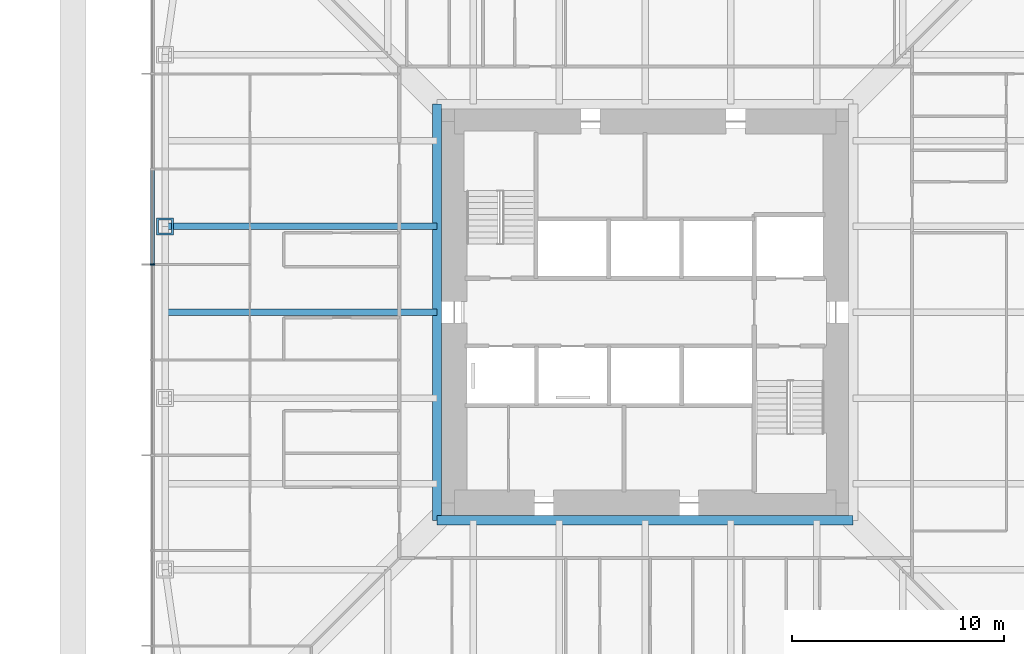
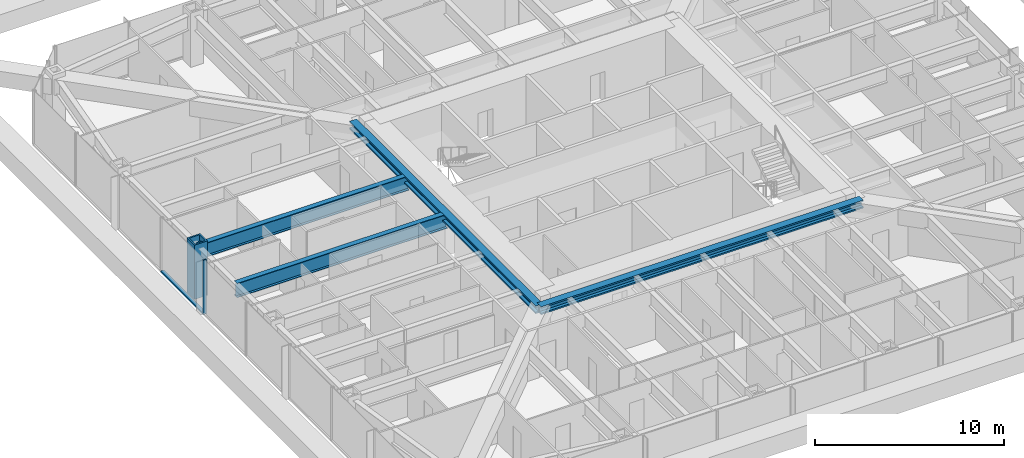
# One storey, part 6 of 32: 4 beams, 3 members, 1 element without a shape of its own.
"""IFC4 building model written with IfcOpenShell, lengths in metres."""

from ifc_helpers import new_model, si_unit, direction, frame, origin, origin_2d, place, context, subcontext, project, spatial, rectangle, hollow_rectangle, i_section, extrude, material, material_profile, profile_set, type_object, element, aggregate, save


model = new_model("IFC4")

# Units and contexts
model_context = context("Model", 3, precision=1e-05, world=origin(), true_north=direction((0.0, 1.0)))
body_context = subcontext(model_context, "Body", "Model", "MODEL_VIEW")
ifc_project = project(units=[si_unit("LENGTHUNIT", "METRE"), si_unit("AREAUNIT", "SQUARE_METRE"), si_unit("VOLUMEUNIT", "CUBIC_METRE"), si_unit("PLANEANGLEUNIT", "RADIAN"), si_unit("MASSUNIT", "GRAM", prefix="KILO")], contexts=[model_context])

# Site, building, storey
site_placement = place(None, origin())
site = spatial("IfcSite", under=ifc_project, at=site_placement, CompositionType="ELEMENT")
building_placement = place(site_placement, origin())
building = spatial("IfcBuilding", under=site, at=building_placement, Name="Iwan Alto Co-Living Towers", CompositionType="ELEMENT")
storey_placement = place(building_placement, frame((0.0, 0.0, 71.0)))
storey = spatial("IfcBuildingStorey", under=building, at=storey_placement, Name="L19", CompositionType="ELEMENT", Elevation=71.0)

# Curtain wall, members
ifc_material_1 = material(Name="Bronze aluminium unitised frame", Category="aluminium")
curtain_wall_type = type_object("IfcCurtainWallType", Name="CURTAIN WALL CW-A", PredefinedType="NOTDEFINED", material=ifc_material_1)
curtain_wall_placement = place(storey_placement, origin())
curtain_wall = element("IfcCurtainWall", 1, at=curtain_wall_placement, inside=storey, type_object=curtain_wall_type, Name="T1 curtain wall W L19", PredefinedType="NOTDEFINED")
ifc_material_2 = material(Name="Aluminium 6063-T6 bronze anodised", Category="aluminium")
ifc_material_profile_1 = material_profile(ifc_material_2, rectangle(XDim=0.199951171875, YDim=0.080078125, at=origin_2d()), Name="AL 80X200")
ifc_profile_set_1 = profile_set([ifc_material_profile_1], Name="Aluminium 6063-T6 bronze anodised")
member_type_1 = type_object("IfcMemberType", Name="CW-A MULLION 80X200", PredefinedType="MULLION", material=ifc_profile_set_1)
member_1_placement = place(storey_placement, frame((-23.25, 2.25, 0.0), z_axis=(0.0, 0.0, 1.0), x_axis=(1.0, 0.0, 0.0)))
member_1 = element("IfcMember", 2, at=member_1_placement, type_object=member_type_1, Name="CW-A mullion 5", PredefinedType="MULLION", context=body_context, shape_type="SweptSolid", body=[
    extrude(rectangle(XDim=0.199951171875, YDim=0.080078125, at=origin_2d()), origin(), (0.0, 0.0, 1.0), 3.5),
])
ifc_material_3 = material(Name="Aluminium 6063-T6 bronze anodised", Category="aluminium")
ifc_material_profile_2 = material_profile(ifc_material_3, rectangle(XDim=0.199951171875, YDim=0.10009765625, at=origin_2d()), Name="AL 200X100")
ifc_profile_set_2 = profile_set([ifc_material_profile_2], Name="Aluminium 6063-T6 bronze anodised")
member_type_2 = type_object("IfcMemberType", Name="CW-A TRANSOM 200X100", PredefinedType="USERDEFINED", material=ifc_profile_set_2)
member_2_placement = place(storey_placement, frame((-23.25, 6.7099609375, 0.050048828125), z_axis=(0.0, -1.0, 0.0), x_axis=(1.0, 0.0, 0.0)))
member_2 = element("IfcMember", 3, at=member_2_placement, type_object=member_type_2, Name="CW-A transom 4.1", ObjectType="TRANSOM", PredefinedType="USERDEFINED", context=body_context, shape_type="SweptSolid", body=[
    extrude(rectangle(XDim=0.199951171875, YDim=0.10009765625, at=origin_2d()), origin(), (0.0, 0.0, 1.0), 4.419921875),
])
aggregate(curtain_wall, [member_1, member_2])

# Beams
ifc_material_4 = material(Name="Steel ASTM A992 Gr 50", Category="steel")
ifc_material_profile_3 = material_profile(ifc_material_4, i_section(OverallWidth=0.436767578125, OverallDepth=0.51318359375, WebThickness=0.060546875, FlangeThickness=0.096923828125, at=origin_2d()), Name="W14X550")
ifc_profile_set_3 = profile_set([ifc_material_profile_3], Name="Steel ASTM A992 Gr 50")
beam_type_1 = type_object("IfcBeamType", Name="T1 CORE LEDGER BEAM W14X550", PredefinedType="BEAM", material=ifc_profile_set_3)
for number, where, z_axis, x_axis, name in (
    (4, (-9.818359375, -9.818359375, 2.943359375), (1.0, 0.0, 0.0), (0.0, 1.0, 0.0), "T1 core ledger beam S L20"),
    (5, (-9.818359375, 9.818359375, 2.943359375), (0.0, -1.0, 0.0), (1.0, 0.0, 0.0), "T1 core ledger beam W L20"),
):
    element("IfcBeam", number, at=place(storey_placement, frame(where, z_axis=z_axis, x_axis=x_axis)), inside=storey, type_object=beam_type_1, Name=name, PredefinedType="BEAM", context=body_context, shape_type="SweptSolid", body=[
        extrude(i_section(OverallWidth=0.436767578125, OverallDepth=0.51318359375, WebThickness=0.060546875, FlangeThickness=0.096923828125, at=origin_2d()), origin(), (0.0, 0.0, 1.0), 19.63671875),
    ])
ifc_material_5 = material(Name="Steel ASTM A992 Gr 50", Category="steel")
ifc_material_profile_4 = material_profile(ifc_material_5, i_section(OverallWidth=0.307373046875, OverallDepth=0.927001953125, WebThickness=0.01953125, FlangeThickness=0.031982421875, at=origin_2d()), Name="W36X194")
ifc_profile_set_4 = profile_set([ifc_material_profile_4], Name="Steel ASTM A992 Gr 50")
beam_type_2 = type_object("IfcBeamType", Name="T1 RADIAL BEAM W36X194", PredefinedType="BEAM", material=ifc_profile_set_4)
beam_1_placement = place(storey_placement, frame((-22.64990234375, 4.050048828125, 2.736328125), z_axis=(1.0, 0.0, 0.0), x_axis=(0.0, 1.0, 0.0)))
element("IfcBeam", 6, at=beam_1_placement, inside=storey, type_object=beam_type_2, Name="T1 radial beam W2 L20", PredefinedType="BEAM", context=body_context, shape_type="SweptSolid", body=[
    extrude(i_section(OverallWidth=0.307373046875, OverallDepth=0.927001953125, WebThickness=0.01953125, FlangeThickness=0.031982421875, at=origin_2d()), origin(), (0.0, 0.0, 1.0), 12.83154296875),
])

# Member
ifc_material_6 = material(Name="Steel ASTM A572 Gr 50", Category="steel")
ifc_material_profile_5 = material_profile(ifc_material_6, hollow_rectangle(XDim=0.800048828125, YDim=0.800048828125, WallThickness=0.090087890625, at=origin_2d()), Name="BOX 800X800X90")
ifc_profile_set_5 = profile_set([ifc_material_profile_5], Name="Steel ASTM A572 Gr 50")
member_type_3 = type_object("IfcMemberType", Name="T1 RING POST AT STEP BOX 800X800X90", PredefinedType="MEMBER", material=ifc_profile_set_5)
member_3_placement = place(storey_placement, frame((-22.64990234375, 4.050048828125, 0.0), z_axis=(0.0, 0.0, 1.0), x_axis=(1.0, 0.0, 0.0)))
element("IfcMember", 7, at=member_3_placement, inside=storey, type_object=member_type_3, Name="T1 ring post at step W2 L19", PredefinedType="MEMBER", context=body_context, shape_type="SweptSolid", body=[
    extrude(hollow_rectangle(XDim=0.800048828125, YDim=0.800048828125, WallThickness=0.090087890625, at=origin_2d()), origin(), (0.0, 0.0, 1.0), 3.5),
])

# Beam
ifc_material_7 = material(Name="Steel ASTM A992 Gr 50", Category="steel")
ifc_material_profile_6 = material_profile(ifc_material_7, i_section(OverallWidth=0.307373046875, OverallDepth=0.927001953125, WebThickness=0.01953125, FlangeThickness=0.031982421875, at=origin_2d()), Name="W36X194")
ifc_profile_set_6 = profile_set([ifc_material_profile_6], Name="Steel ASTM A992 Gr 50")
beam_type_3 = type_object("IfcBeamType", Name="T1 SECONDARY BEAM W36X194", PredefinedType="JOIST", material=ifc_profile_set_6)
beam_2_placement = place(storey_placement, frame((-22.64990234375, 0.0, 2.736328125), z_axis=(1.0, 0.0, 0.0), x_axis=(0.0, 1.0, 0.0)))
element("IfcBeam", 8, at=beam_2_placement, inside=storey, type_object=beam_type_3, Name="T1 secondary beam W2 L20", PredefinedType="JOIST", context=body_context, shape_type="SweptSolid", body=[
    extrude(i_section(OverallWidth=0.307373046875, OverallDepth=0.927001953125, WebThickness=0.01953125, FlangeThickness=0.031982421875, at=origin_2d()), origin(), (0.0, 0.0, 1.0), 12.83154296875),
])

save(model, "model.ifc")
